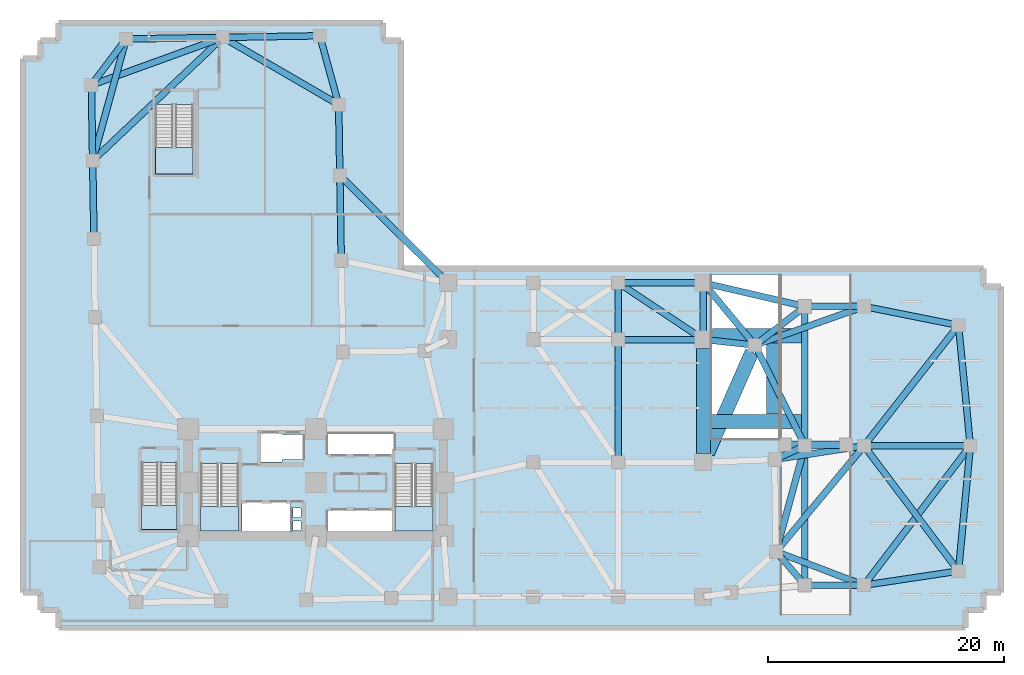
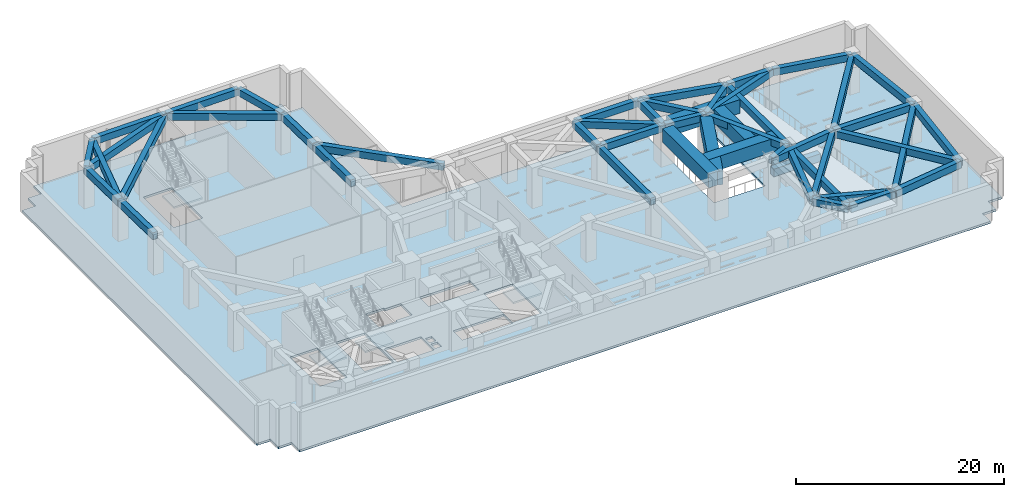
# One storey, part 2 of 11: 49 beams, 5 slabs, 4 elements without a shape of their own.
"""IFC4 building model written with IfcOpenShell, lengths in metres."""

from ifc_helpers import new_model, si_unit, direction, frame, origin, origin_2d, place, context, subcontext, project, spatial, polyline, rectangle, outline, extrude, material, layer, layer_set, material_profile, profile_set, type_object, element, aggregate, save


model = new_model("IFC4")

# Units and contexts
model_context = context("Model", 3, precision=1e-05, world=origin(), true_north=direction((0.0, 1.0)))
body_context = subcontext(model_context, "Body", "Model", "MODEL_VIEW")
ifc_project = project(units=[si_unit("LENGTHUNIT", "METRE"), si_unit("AREAUNIT", "SQUARE_METRE"), si_unit("VOLUMEUNIT", "CUBIC_METRE"), si_unit("PLANEANGLEUNIT", "RADIAN"), si_unit("MASSUNIT", "GRAM", prefix="KILO")], contexts=[model_context])

# Site, building, storey
site_placement = place(None, origin())
site = spatial("IfcSite", under=ifc_project, at=site_placement, CompositionType="ELEMENT")
building_placement = place(site_placement, origin())
building = spatial("IfcBuilding", under=site, at=building_placement, Name="Gaonmaruhae Medical Tower", CompositionType="ELEMENT")
storey_placement = place(building_placement, frame((0.0, 0.0, -4.800048828125)))
storey = spatial("IfcBuildingStorey", under=building, at=storey_placement, Name="B01", CompositionType="ELEMENT", Elevation=-4.800048828125)

# Beams
ifc_material_1 = material(Name="Concrete C50/60", Category="concrete")
ifc_material_profile_1 = material_profile(ifc_material_1, rectangle(XDim=0.64990234375, YDim=0.89990234375, at=origin_2d()), Name="RCG-650x900")
ifc_profile_set_1 = profile_set([ifc_material_profile_1], Name="Concrete C50/60")
beam_type_1 = type_object("IfcBeamType", Name="RG-01 Podium Primary RC Girder (RCG-650x900)", PredefinedType="BEAM", material=ifc_profile_set_1)
beam_1_placement = place(storey_placement, frame((64.5, 15.5, 1.822021484375), z_axis=(1.0, 0.0, 0.0), x_axis=(0.0, 1.0, 0.0)))
element("IfcBeam", 1, at=beam_1_placement, inside=storey, type_object=beam_type_1, Name="B01 Vehicle Ramp Mid-Span Support Girder", PredefinedType="BEAM", context=body_context, shape_type="SweptSolid", body=[
    extrude(rectangle(XDim=0.64990234375, YDim=0.89990234375, at=origin_2d()), origin(), (0.0, 0.0, 1.0), 5.199951171875),
])
ifc_material_profile_2 = material_profile(ifc_material_1, rectangle(XDim=0.550048828125, YDim=0.800048828125, at=origin_2d()), Name="RCG-550x800")
ifc_profile_set_2 = profile_set([ifc_material_profile_2], Name="Concrete C50/60")
beam_type_2 = type_object("IfcBeamType", Name="RG-02 Basement Loop RC Girder (RCG-550x800)", PredefinedType="BEAM", material=ifc_profile_set_2)
beam_2_placement = place(storey_placement, frame((50.39990234375, 14.050048828125, 4.150146484375), z_axis=(0.0, 1.0, 0.0), x_axis=(-1.0, 0.0, 0.0)))
element("IfcBeam", 2, at=beam_2_placement, inside=storey, type_object=beam_type_2, Name="B01 Beam BM-B01-PG013", PredefinedType="BEAM", context=body_context, shape_type="SweptSolid", body=[
    extrude(rectangle(XDim=0.550048828125, YDim=0.800048828125, at=origin_2d()), origin(), (0.0, 0.0, 1.0), 10.300048828125),
])
beam_3_placement = place(storey_placement, frame((57.649658203125, 24.39453125, 4.150146484375), z_axis=(0.994019545115, -0.109202307341, 0.0), x_axis=(0.109202307341, 0.994019545115, 0.0)))
element("IfcBeam", 3, at=beam_3_placement, inside=storey, type_object=beam_type_2, Name="B01 Beam BM-B01-PG017", PredefinedType="BEAM", context=body_context, shape_type="SweptSolid", body=[
    extrude(rectangle(XDim=0.550048828125, YDim=0.800048828125, at=origin_2d()), origin(), (0.0, 0.0, 1.0), 4.294677734375),
])
for number, where, z_axis, x_axis, name in (
    (4, (57.60009765625, 24.449951171875, 4.150146484375), (0.0, 1.0, 0.0), (-1.0, 0.0, 0.0), "B01 Beam BM-B01-PG018"),
    (5, (50.39990234375, 24.449951171875, 4.150146484375), (0.0, 1.0, 0.0), (-1.0, 0.0, 0.0), "B01 Beam BM-B01-PG021"),
):
    element("IfcBeam", number, at=place(storey_placement, frame(where, z_axis=z_axis, x_axis=x_axis)), inside=storey, type_object=beam_type_2, Name=name, PredefinedType="BEAM", context=body_context, shape_type="SweptSolid", body=[
        extrude(rectangle(XDim=0.550048828125, YDim=0.800048828125, at=origin_2d()), origin(), (0.0, 0.0, 1.0), 4.699951171875),
    ])
beam_4_placement = place(storey_placement, frame((50.449951171875, 24.39990234375, 4.150146484375), z_axis=(1.0, 0.0, 0.0), x_axis=(0.0, 1.0, 0.0)))
element("IfcBeam", 6, at=beam_4_placement, inside=storey, type_object=beam_type_2, Name="B01 Beam BM-B01-PG022", PredefinedType="BEAM", context=body_context, shape_type="SweptSolid", body=[
    extrude(rectangle(XDim=0.550048828125, YDim=0.800048828125, at=origin_2d()), origin(), (0.0, 0.0, 1.0), 7.10009765625),
])
beam_5_placement = place(storey_placement, frame((57.6318359375, 29.161376953125, 4.150146484375), z_axis=(0.63748483708, -0.770462901439, 0.0), x_axis=(0.770462901439, 0.63748483708, 0.0)))
element("IfcBeam", 7, at=beam_5_placement, inside=storey, type_object=beam_type_2, Name="B01 Beam BM-B01-PG025", PredefinedType="BEAM", context=body_context, shape_type="SweptSolid", body=[
    extrude(rectangle(XDim=0.550048828125, YDim=0.800048828125, at=origin_2d()), origin(), (0.0, 0.0, 1.0), 6.752685546875),
])
beam_6_placement = place(storey_placement, frame((57.550048828125, 29.199951171875, 4.150146484375), z_axis=(-1.0, 0.0, 0.0), x_axis=(0.0, -1.0, 0.0)))
element("IfcBeam", 8, at=beam_6_placement, inside=storey, type_object=beam_type_2, Name="B01 Beam BM-B01-PG026", PredefinedType="BEAM", context=body_context, shape_type="SweptSolid", body=[
    extrude(rectangle(XDim=0.550048828125, YDim=0.800048828125, at=origin_2d()), origin(), (0.0, 0.0, 1.0), 7.10009765625),
])
beam_7_placement = place(storey_placement, frame((50.441650390625, 29.17236328125, 4.150146484375), z_axis=(0.832041511634, -0.554713370055, 0.0), x_axis=(0.554713370055, 0.832041511634, 0.0)))
element("IfcBeam", 9, at=beam_7_placement, inside=storey, type_object=beam_type_2, Name="B01 Beam BM-B01-PG030", PredefinedType="BEAM", context=body_context, shape_type="SweptSolid", body=[
    extrude(rectangle(XDim=0.550048828125, YDim=0.800048828125, at=origin_2d()), origin(), (0.0, 0.0, 1.0), 8.55322265625),
])
beam_8_placement = place(storey_placement, frame((63.791015625, 6.409423828125, 4.150146484375), z_axis=(0.650934547186, -0.759133858604, 0.0), x_axis=(0.759133858604, 0.650934547186, 0.0)))
element("IfcBeam", 10, at=beam_8_placement, inside=storey, type_object=beam_type_2, Name="B01 Beam BM-B01-PG041", PredefinedType="BEAM", context=body_context, shape_type="SweptSolid", body=[
    extrude(rectangle(XDim=0.550048828125, YDim=0.800048828125, at=origin_2d()), origin(), (0.0, 0.0, 1.0), 3.65087890625),
])
beam_9_placement = place(storey_placement, frame((63.6748046875, 14.266845703125, 4.150146484375), z_axis=(0.912331175538, 0.409453081735, 0.0), x_axis=(-0.409453081735, 0.912331175538, 0.0)))
element("IfcBeam", 11, at=beam_9_placement, inside=storey, type_object=beam_type_2, Name="B01 Beam BM-B01-PG043", PredefinedType="BEAM", context=body_context, shape_type="SweptSolid", body=[
    extrude(rectangle(XDim=0.550048828125, YDim=0.800048828125, at=origin_2d()), origin(), (0.0, 0.0, 1.0), 2.7177734375),
])
beam_10_placement = place(storey_placement, frame((63.678466796875, 14.25390625, 4.150146484375), z_axis=(0.988587276062, 0.150649253596, 0.0), x_axis=(-0.150649253596, 0.988587276062, 0.0)))
element("IfcBeam", 12, at=beam_10_placement, inside=storey, type_object=beam_type_2, Name="B01 Beam BM-B01-PG044", PredefinedType="BEAM", context=body_context, shape_type="SweptSolid", body=[
    extrude(rectangle(XDim=0.550048828125, YDim=0.800048828125, at=origin_2d()), origin(), (0.0, 0.0, 1.0), 7.558349609375),
])
beam_11_placement = place(storey_placement, frame((62.008056640625, 23.950927734375, 4.150146484375), z_axis=(0.790374549581, 0.612623923279, 0.0), x_axis=(-0.612623923279, 0.790374549581, 0.0)))
element("IfcBeam", 13, at=beam_11_placement, inside=storey, type_object=beam_type_2, Name="B01 Beam BM-B01-PG045", PredefinedType="BEAM", context=body_context, shape_type="SweptSolid", body=[
    extrude(rectangle(XDim=0.550048828125, YDim=0.800048828125, at=origin_2d()), origin(), (0.0, 0.0, 1.0), 5.253662109375),
])
beam_12_placement = place(storey_placement, frame((61.99072265625, 23.87548828125, 4.150146484375), z_axis=(0.444805100876, -0.895627390288, 0.0), x_axis=(0.895627390288, 0.444805100876, 0.0)))
element("IfcBeam", 14, at=beam_12_placement, inside=storey, type_object=beam_type_2, Name="B01 Beam BM-B01-PG046", PredefinedType="BEAM", context=body_context, shape_type="SweptSolid", body=[
    extrude(rectangle(XDim=0.550048828125, YDim=0.800048828125, at=origin_2d()), origin(), (0.0, 0.0, 1.0), 9.4130859375),
])
beam_13_placement = place(storey_placement, frame((26.944091796875, 31.140380859375, 4.150146484375), z_axis=(-0.016608204893, 0.999862074253, 0.0), x_axis=(-0.999862074253, -0.016608204893, 0.0)))
element("IfcBeam", 15, at=beam_13_placement, inside=storey, type_object=beam_type_2, Name="B01 Beam BM-B01-PG051", PredefinedType="BEAM", context=body_context, shape_type="SweptSolid", body=[
    extrude(rectangle(XDim=0.550048828125, YDim=0.800048828125, at=origin_2d()), origin(), (0.0, 0.0, 1.0), 7.10009765625),
])
beam_14_placement = place(storey_placement, frame((26.824462890625, 38.339599609375, 4.150146484375), z_axis=(-0.016551967997, 0.999863006794, 0.0), x_axis=(-0.999863006794, -0.016551967997, 0.0)))
element("IfcBeam", 16, at=beam_14_placement, inside=storey, type_object=beam_type_2, Name="B01 Beam BM-B01-PG053", PredefinedType="BEAM", context=body_context, shape_type="SweptSolid", body=[
    extrude(rectangle(XDim=0.550048828125, YDim=0.800048828125, at=origin_2d()), origin(), (0.0, 0.0, 1.0), 5.89990234375),
])
beam_15_placement = place(storey_placement, frame((26.86083984375, 38.25439453125, 4.150146484375), z_axis=(0.710394933366, -0.703803267005, 0.0), x_axis=(0.703803267005, 0.710394933366, 0.0)))
element("IfcBeam", 17, at=beam_15_placement, inside=storey, type_object=beam_type_2, Name="B01 Beam BM-B01-PG054", PredefinedType="BEAM", context=body_context, shape_type="SweptSolid", body=[
    extrude(rectangle(XDim=0.550048828125, YDim=0.800048828125, at=origin_2d()), origin(), (0.0, 0.0, 1.0), 12.815185546875),
])
beam_16_placement = place(storey_placement, frame((26.712646484375, 44.3369140625, 4.150146484375), z_axis=(-0.264400662099, 0.964412924987, 0.0), x_axis=(-0.964412924987, -0.264400662099, 0.0)))
element("IfcBeam", 18, at=beam_16_placement, inside=storey, type_object=beam_type_2, Name="B01 Beam BM-B01-PG055", PredefinedType="BEAM", context=body_context, shape_type="SweptSolid", body=[
    extrude(rectangle(XDim=0.550048828125, YDim=0.800048828125, at=origin_2d()), origin(), (0.0, 0.0, 1.0), 5.939208984375),
])
beam_17_placement = place(storey_placement, frame((26.6826171875, 44.313720703125, 4.150146484375), z_axis=(-0.864761531189, 0.502182729865, 0.0), x_axis=(-0.502182729865, -0.864761531189, 0.0)))
element("IfcBeam", 19, at=beam_17_placement, inside=storey, type_object=beam_type_2, Name="B01 Beam BM-B01-PG056", PredefinedType="BEAM", context=body_context, shape_type="SweptSolid", body=[
    extrude(rectangle(XDim=0.550048828125, YDim=0.800048828125, at=origin_2d()), origin(), (0.0, 0.0, 1.0), 11.227294921875),
])
for number, where, z_axis, x_axis, name in (
    (20, (25.0791015625, 50.112060546875, 4.150146484375), (-0.999863083435, -0.016547337678, 0.0), (0.016547337678, -0.999863083435, 0.0), "B01 Beam BM-B01-PG057"),
    (21, (16.88037109375, 49.976318359375, 4.150146484375), (-0.999862584298, -0.016577470273, 0.0), (0.016577470273, -0.999862584298, 0.0), "B01 Beam BM-B01-PG058"),
):
    element("IfcBeam", number, at=place(storey_placement, frame(where, z_axis=z_axis, x_axis=x_axis)), inside=storey, type_object=beam_type_2, Name=name, PredefinedType="BEAM", context=body_context, shape_type="SweptSolid", body=[
        extrude(rectangle(XDim=0.550048828125, YDim=0.800048828125, at=origin_2d()), origin(), (0.0, 0.0, 1.0), 8.10009765625),
    ])
beam_18_placement = place(storey_placement, frame((16.88330078125, 49.9599609375, 4.150146484375), z_axis=(-0.940171612952, -0.340701244788, 0.0), x_axis=(0.340701244788, -0.940171612952, 0.0)))
element("IfcBeam", 22, at=beam_18_placement, inside=storey, type_object=beam_type_2, Name="B01 Beam BM-B01-PG059", PredefinedType="BEAM", context=body_context, shape_type="SweptSolid", body=[
    extrude(rectangle(XDim=0.550048828125, YDim=0.800048828125, at=origin_2d()), origin(), (0.0, 0.0, 1.0), 11.743408203125),
])
beam_19_placement = place(storey_placement, frame((8.701416015625, 49.80126953125, 4.150146484375), z_axis=(-0.601502313354, -0.798871057824, 0.0), x_axis=(0.798871057824, -0.601502313354, 0.0)))
element("IfcBeam", 23, at=beam_19_placement, inside=storey, type_object=beam_type_2, Name="B01 Beam BM-B01-PG060", PredefinedType="BEAM", context=body_context, shape_type="SweptSolid", body=[
    extrude(rectangle(XDim=0.550048828125, YDim=0.800048828125, at=origin_2d()), origin(), (0.0, 0.0, 1.0), 4.781005859375),
])
beam_20_placement = place(storey_placement, frame((8.71826171875, 49.79296875, 4.150146484375), z_axis=(-0.264954280581, -0.964260975671, 0.0), x_axis=(0.964260975671, -0.264954280581, 0.0)))
element("IfcBeam", 24, at=beam_20_placement, inside=storey, type_object=beam_type_2, Name="B01 Beam BM-B01-PG061", PredefinedType="BEAM", context=body_context, shape_type="SweptSolid", body=[
    extrude(rectangle(XDim=0.550048828125, YDim=0.800048828125, at=origin_2d()), origin(), (0.0, 0.0, 1.0), 10.580078125),
])
beam_21_placement = place(storey_placement, frame((5.79638671875, 45.891845703125, 4.150146484375), z_axis=(0.016586222393, -0.999862439152, 0.0), x_axis=(0.999862439152, 0.016586222393, 0.0)))
element("IfcBeam", 25, at=beam_21_placement, inside=storey, type_object=beam_type_2, Name="B01 Beam BM-B01-PG062", PredefinedType="BEAM", context=body_context, shape_type="SweptSolid", body=[
    extrude(rectangle(XDim=0.550048828125, YDim=0.800048828125, at=origin_2d()), origin(), (0.0, 0.0, 1.0), 6.300048828125),
])
beam_22_placement = place(storey_placement, frame((5.902587890625, 39.492919921875, 4.150146484375), z_axis=(0.016563596449, -0.999862814226, 0.0), x_axis=(0.999862814226, 0.016563596449, 0.0)))
element("IfcBeam", 26, at=beam_22_placement, inside=storey, type_object=beam_type_2, Name="B01 Beam BM-B01-PG063", PredefinedType="BEAM", context=body_context, shape_type="SweptSolid", body=[
    extrude(rectangle(XDim=0.550048828125, YDim=0.800048828125, at=origin_2d()), origin(), (0.0, 0.0, 1.0), 6.500244140625),
])
beam_23_placement = place(storey_placement, frame((5.938232421875, 39.5771484375, 4.150146484375), z_axis=(0.726406385449, 0.687265424111, 0.0), x_axis=(-0.687265424111, 0.726406385449, 0.0)))
element("IfcBeam", 27, at=beam_23_placement, inside=storey, type_object=beam_type_2, Name="B01 Beam BM-B01-PG064", PredefinedType="BEAM", context=body_context, shape_type="SweptSolid", body=[
    extrude(rectangle(XDim=0.550048828125, YDim=0.800048828125, at=origin_2d()), origin(), (0.0, 0.0, 1.0), 15.082275390625),
])
beam_24_placement = place(storey_placement, frame((66.25, 3.60009765625, 4.150146484375), z_axis=(1.0, 0.0, 0.0), x_axis=(0.0, 1.0, 0.0)))
element("IfcBeam", 28, at=beam_24_placement, inside=storey, type_object=beam_type_2, Name="B01 Beam BM-B01-PG074", PredefinedType="BEAM", context=body_context, shape_type="SweptSolid", body=[
    extrude(rectangle(XDim=0.550048828125, YDim=0.800048828125, at=origin_2d()), origin(), (0.0, 0.0, 1.0), 4.89990234375),
])
beam_25_placement = place(storey_placement, frame((66.199951171875, 3.64990234375, 4.150146484375), z_axis=(0.0, 1.0, 0.0), x_axis=(-1.0, 0.0, 0.0)))
element("IfcBeam", 29, at=beam_25_placement, inside=storey, type_object=beam_type_2, Name="B01 Beam BM-B01-PG075", PredefinedType="BEAM", context=body_context, shape_type="SweptSolid", body=[
    extrude(rectangle(XDim=0.550048828125, YDim=0.800048828125, at=origin_2d()), origin(), (0.0, 0.0, 1.0), 11.7001953125),
])
beam_26_placement = place(storey_placement, frame((71.1533203125, 3.617919921875, 4.150146484375), z_axis=(-0.933959250305, 0.357379516438, 0.0), x_axis=(-0.357379516438, -0.933959250305, 0.0)))
element("IfcBeam", 30, at=beam_26_placement, inside=storey, type_object=beam_type_2, Name="B01 Beam BM-B01-PG076", PredefinedType="BEAM", context=body_context, shape_type="SweptSolid", body=[
    extrude(rectangle(XDim=0.550048828125, YDim=0.800048828125, at=origin_2d()), origin(), (0.0, 0.0, 1.0), 7.86767578125),
])
beam_27_placement = place(storey_placement, frame((71.24951171875, 3.607421875, 4.150146484375), z_axis=(0.988938370032, 0.148327004546, 0.0), x_axis=(-0.148327004546, 0.988938370032, 0.0)))
element("IfcBeam", 31, at=beam_27_placement, inside=storey, type_object=beam_type_2, Name="B01 Beam BM-B01-PG077", PredefinedType="BEAM", context=body_context, shape_type="SweptSolid", body=[
    extrude(rectangle(XDim=0.550048828125, YDim=0.800048828125, at=origin_2d()), origin(), (0.0, 0.0, 1.0), 7.989501953125),
])
beam_28_placement = place(storey_placement, frame((66.186767578125, 15.351806640625, 4.150146484375), z_axis=(-0.263119656269, -0.964763207469, 0.0), x_axis=(0.964763207469, -0.263119656269, 0.0)))
element("IfcBeam", 32, at=beam_28_placement, inside=storey, type_object=beam_type_2, Name="B01 Beam BM-B01-PG078", PredefinedType="BEAM", context=body_context, shape_type="SweptSolid", body=[
    extrude(rectangle(XDim=0.550048828125, YDim=0.800048828125, at=origin_2d()), origin(), (0.0, 0.0, 1.0), 9.179443359375),
])
beam_29_placement = place(storey_placement, frame((66.199951171875, 15.449951171875, 4.150146484375), z_axis=(0.0, 1.0, 0.0), x_axis=(-1.0, 0.0, 0.0)))
element("IfcBeam", 33, at=beam_29_placement, inside=storey, type_object=beam_type_2, Name="B01 Beam BM-B01-PG079", PredefinedType="BEAM", context=body_context, shape_type="SweptSolid", body=[
    extrude(rectangle(XDim=0.550048828125, YDim=0.800048828125, at=origin_2d()), origin(), (0.0, 0.0, 1.0), 11.699951171875),
])
beam_30_placement = place(storey_placement, frame((71.25, 15.39990234375, 4.150146484375), z_axis=(1.0, 0.0, 0.0), x_axis=(0.0, 1.0, 0.0)))
element("IfcBeam", 34, at=beam_30_placement, inside=storey, type_object=beam_type_2, Name="B01 Beam BM-B01-PG080", PredefinedType="BEAM", context=body_context, shape_type="SweptSolid", body=[
    extrude(rectangle(XDim=0.550048828125, YDim=0.800048828125, at=origin_2d()), origin(), (0.0, 0.0, 1.0), 8.89990234375),
])
beam_31_placement = place(storey_placement, frame((71.16796875, 15.361572265625, 4.150146484375), z_axis=(-0.639224730156, -0.76901998957, 0.0), x_axis=(0.76901998957, -0.639224730156, 0.0)))
element("IfcBeam", 35, at=beam_31_placement, inside=storey, type_object=beam_type_2, Name="B01 Beam BM-B01-PG081", PredefinedType="BEAM", context=body_context, shape_type="SweptSolid", body=[
    extrude(rectangle(XDim=0.550048828125, YDim=0.800048828125, at=origin_2d()), origin(), (0.0, 0.0, 1.0), 11.54150390625),
])
beam_32_placement = place(storey_placement, frame((66.25, 27.199951171875, 4.150146484375), z_axis=(1.0, 0.0, 0.0), x_axis=(0.0, 1.0, 0.0)))
element("IfcBeam", 36, at=beam_32_placement, inside=storey, type_object=beam_type_2, Name="B01 Beam BM-B01-PG082", PredefinedType="BEAM", context=body_context, shape_type="SweptSolid", body=[
    extrude(rectangle(XDim=0.550048828125, YDim=0.800048828125, at=origin_2d()), origin(), (0.0, 0.0, 1.0), 4.89990234375),
])
beam_33_placement = place(storey_placement, frame((66.1513671875, 27.21142578125, 4.150146484375), z_axis=(-0.974009892436, 0.226505473306, 0.0), x_axis=(-0.226505473306, -0.974009892436, 0.0)))
element("IfcBeam", 37, at=beam_33_placement, inside=storey, type_object=beam_type_2, Name="B01 Beam BM-B01-PG083", PredefinedType="BEAM", context=body_context, shape_type="SweptSolid", body=[
    extrude(rectangle(XDim=0.550048828125, YDim=0.800048828125, at=origin_2d()), origin(), (0.0, 0.0, 1.0), 8.7294921875),
])
beam_34_placement = place(storey_placement, frame((71.2490234375, 27.190185546875, 4.150146484375), z_axis=(0.98058184093, -0.196110308853, 0.0), x_axis=(0.196110308853, 0.98058184093, 0.0)))
element("IfcBeam", 38, at=beam_34_placement, inside=storey, type_object=beam_type_2, Name="B01 Beam BM-B01-PG084", PredefinedType="BEAM", context=body_context, shape_type="SweptSolid", body=[
    extrude(rectangle(XDim=0.550048828125, YDim=0.800048828125, at=origin_2d()), origin(), (0.0, 0.0, 1.0), 8.058349609375),
])
beam_35_placement = place(storey_placement, frame((71.15283203125, 27.183349609375, 4.150146484375), z_axis=(-0.942294313395, -0.334785643275, 0.0), x_axis=(0.334785643275, -0.942294313395, 0.0)))
element("IfcBeam", 39, at=beam_35_placement, inside=storey, type_object=beam_type_2, Name="B01 Beam BM-B01-PG085", PredefinedType="BEAM", context=body_context, shape_type="SweptSolid", body=[
    extrude(rectangle(XDim=0.550048828125, YDim=0.800048828125, at=origin_2d()), origin(), (0.0, 0.0, 1.0), 9.69677734375),
])
beam_36_placement = place(storey_placement, frame((79.20458984375, 4.849853515625, 4.150146484375), z_axis=(0.093932984059, 0.995578522521, 0.0), x_axis=(-0.995578522521, 0.093932984059, 0.0)))
element("IfcBeam", 40, at=beam_36_placement, inside=storey, type_object=beam_type_2, Name="B01 Beam BM-B01-PG086", PredefinedType="BEAM", context=body_context, shape_type="SweptSolid", body=[
    extrude(rectangle(XDim=0.550048828125, YDim=0.800048828125, at=origin_2d()), origin(), (0.0, 0.0, 1.0), 10.547119140625),
])
beam_37_placement = place(storey_placement, frame((79.169921875, 4.83984375, 4.150146484375), z_axis=(-0.602400893863, 0.798193687693, 0.0), x_axis=(-0.798193687693, -0.602400893863, 0.0)))
element("IfcBeam", 41, at=beam_37_placement, inside=storey, type_object=beam_type_2, Name="B01 Beam BM-B01-PG087", PredefinedType="BEAM", context=body_context, shape_type="SweptSolid", body=[
    extrude(rectangle(XDim=0.550048828125, YDim=0.800048828125, at=origin_2d()), origin(), (0.0, 0.0, 1.0), 13.18017578125),
])
beam_38_placement = place(storey_placement, frame((80.195068359375, 15.44970703125, 4.150146484375), z_axis=(-0.097569555279, 0.995228708329, 0.0), x_axis=(-0.995228708329, -0.097569555279, 0.0)))
element("IfcBeam", 42, at=beam_38_placement, inside=storey, type_object=beam_type_2, Name="B01 Beam BM-B01-PG088", PredefinedType="BEAM", context=body_context, shape_type="SweptSolid", body=[
    extrude(rectangle(XDim=0.550048828125, YDim=0.800048828125, at=origin_2d()), origin(), (0.0, 0.0, 1.0), 10.14892578125),
])
beam_39_placement = place(storey_placement, frame((80.169677734375, 15.3603515625, 4.150146484375), z_axis=(-0.606446336319, -0.79512441867, 0.0), x_axis=(0.79512441867, -0.606446336319, 0.0)))
element("IfcBeam", 43, at=beam_39_placement, inside=storey, type_object=beam_type_2, Name="B01 Beam BM-B01-PG089", PredefinedType="BEAM", context=body_context, shape_type="SweptSolid", body=[
    extrude(rectangle(XDim=0.550048828125, YDim=0.800048828125, at=origin_2d()), origin(), (0.0, 0.0, 1.0), 14.74072265625),
])
beam_40_placement = place(storey_placement, frame((79.169189453125, 25.560546875, 4.150146484375), z_axis=(-0.617145695681, -0.786848899282, 0.0), x_axis=(0.786848899282, -0.617145695681, 0.0)))
element("IfcBeam", 44, at=beam_40_placement, inside=storey, type_object=beam_type_2, Name="B01 Beam BM-B01-PG090", PredefinedType="BEAM", context=body_context, shape_type="SweptSolid", body=[
    extrude(rectangle(XDim=0.550048828125, YDim=0.800048828125, at=origin_2d()), origin(), (0.0, 0.0, 1.0), 12.86279296875),
])
ifc_material_profile_3 = material_profile(ifc_material_1, rectangle(XDim=1.199951171875, YDim=1.60009765625, at=origin_2d()), Name="TG-1200x1600")
ifc_profile_set_3 = profile_set([ifc_material_profile_3], Name="Concrete C50/60")
beam_type_3 = type_object("IfcBeamType", Name="TG-02 Setback Transfer Girder (TG-1200x1600)", PredefinedType="BEAM", material=ifc_profile_set_3)
beam_41_placement = place(storey_placement, frame((57.60009765625, 14.760009765625, 3.75), z_axis=(0.0, 1.0, 0.0), x_axis=(-1.0, 0.0, 0.0)))
element("IfcBeam", 45, at=beam_41_placement, inside=storey, type_object=beam_type_3, Name="B01 Stair ST-04 Support Transfer Girder BM-B01-ST4W", PredefinedType="BEAM", context=body_context, shape_type="SweptSolid", body=[
    extrude(rectangle(XDim=1.199951171875, YDim=1.60009765625, at=origin_2d()), origin(), (0.0, 0.0, 1.0), 8.8798828125),
])
beam_42_placement = place(storey_placement, frame((58.199951171875, 17.469970703125, 3.75), z_axis=(1.0, 0.0, 0.0), x_axis=(0.0, 1.0, 0.0)))
element("IfcBeam", 46, at=beam_42_placement, inside=storey, type_object=beam_type_3, Name="B01 Stair ST-04 Support Transfer Girder BM-B01-ST4S", PredefinedType="BEAM", context=body_context, shape_type="SweptSolid", body=[
    extrude(rectangle(XDim=1.199951171875, YDim=1.60009765625, at=origin_2d()), origin(), (0.0, 0.0, 1.0), 7.719970703125),
])
beam_43_placement = place(storey_placement, frame((58.360107421875, 24.719970703125, 3.75), z_axis=(1.0, 0.0, 0.0), x_axis=(0.0, 1.0, 0.0)))
element("IfcBeam", 47, at=beam_43_placement, inside=storey, type_object=beam_type_3, Name="B01 Stair ST-04 Support Transfer Girder BM-B01-ST4N", PredefinedType="BEAM", context=body_context, shape_type="SweptSolid", body=[
    extrude(rectangle(XDim=1.199951171875, YDim=1.60009765625, at=origin_2d()), origin(), (0.0, 0.0, 1.0), 7.559814453125),
])
beam_44_placement = place(storey_placement, frame((57.949951171875, 14.780029296875, 3.75), z_axis=(0.402272376165, 0.915520035485, 0.0), x_axis=(-0.915520035485, 0.402272376165, 0.0)))
element("IfcBeam", 48, at=beam_44_placement, inside=storey, type_object=beam_type_3, Name="B01 Stair ST-04 Support Transfer Girder BM-B01-ST4IW", PredefinedType="BEAM", context=body_context, shape_type="SweptSolid", body=[
    extrude(rectangle(XDim=1.199951171875, YDim=1.60009765625, at=origin_2d()), origin(), (0.0, 0.0, 1.0), 9.371826171875),
])
beam_45_placement = place(storey_placement, frame((63.530029296875, 18.080078125, 3.75), z_axis=(0.0, 1.0, 0.0), x_axis=(-1.0, 0.0, 0.0)))
element("IfcBeam", 49, at=beam_45_placement, inside=storey, type_object=beam_type_3, Name="B01 Stair ST-04 Support Transfer Girder BM-B01-ST4IE", PredefinedType="BEAM", context=body_context, shape_type="SweptSolid", body=[
    extrude(rectangle(XDim=1.199951171875, YDim=1.60009765625, at=origin_2d()), origin(), (0.0, 0.0, 1.0), 6.030029296875),
])

# Slab
ifc_material_2 = material(Name="Concrete C40/50", Category="concrete")
ifc_layer_1 = layer(ifc_material_2, 0.25)
ifc_layer_set_1 = layer_set([ifc_layer_1], Name="Concrete C40/50")
slab_type_1 = type_object("IfcSlabType", Name="FS-250 Podium & Basement Floor Slab", PredefinedType="FLOOR", material=ifc_layer_set_1)
slab_1_placement = place(storey_placement, frame((0.0, 0.0, -0.25)))
element("IfcSlab", 50, at=slab_1_placement, inside=storey, type_object=slab_type_1, Name="B01 Structural Slab 1", PredefinedType="FLOOR", context=body_context, shape_type="SweptSolid", body=[
    extrude(outline(polyline([(3.0, 0.0), (79.800048828125, 0.0), (79.800048828125, 1.5), (81.300048828125, 1.5), (81.300048828125, 3.0), (82.800048828125, 3.0), (82.800048828125, 28.89990234375), (81.300048828125, 28.89990234375), (81.300048828125, 30.39990234375), (32.0, 30.39990234375), (32.0, 49.699951171875), (30.5, 49.699951171875), (30.5, 51.199951171875), (3.0, 51.199951171875), (3.0, 49.699951171875), (1.5, 49.699951171875), (1.5, 48.199951171875), (0.0, 48.199951171875), (0.0, 3.0), (1.5, 3.0), (1.5, 1.5), (3.0, 1.5), (3.0, 0.0)]), holes=[polyline([(23.550048828125, 8.25), (22.85009765625, 8.25), (22.85009765625, 9.050048828125), (23.550048828125, 9.050048828125), (23.550048828125, 8.25)]), polyline([(22.64990234375, 10.625), (22.64990234375, 8.074951171875), (18.550048828125, 8.074951171875), (18.550048828125, 10.625), (22.64990234375, 10.625)]), polyline([(15.050048828125, 13.889892578125), (18.25, 13.889892578125), (18.25, 8.300048828125), (15.050048828125, 8.300048828125), (15.050048828125, 13.889892578125)]), polyline([(13.050048828125, 13.989990234375), (13.050048828125, 8.300048828125), (10.050048828125, 8.300048828125), (10.050048828125, 13.989990234375), (13.050048828125, 13.989990234375)]), polyline([(21.949951171875, 14.02490234375), (19.949951171875, 14.02490234375), (19.949951171875, 16.574951171875), (21.949951171875, 16.574951171875), (21.949951171875, 16.375), (23.72509765625, 16.375), (23.72509765625, 14.22509765625), (21.949951171875, 14.22509765625), (21.949951171875, 14.02490234375)]), polyline([(11.199951171875, 44.2900390625), (14.39990234375, 44.2900390625), (14.39990234375, 38.39990234375), (11.199951171875, 38.39990234375), (11.199951171875, 44.2900390625)]), polyline([(31.425048828125, 9.925048828125), (31.425048828125, 8.175048828125), (25.824951171875, 8.175048828125), (25.824951171875, 9.925048828125), (31.425048828125, 9.925048828125)]), polyline([(22.85009765625, 9.35009765625), (22.85009765625, 10.14990234375), (23.550048828125, 10.14990234375), (23.550048828125, 9.35009765625), (22.85009765625, 9.35009765625)]), polyline([(31.5, 13.889892578125), (34.699951171875, 13.889892578125), (34.699951171875, 8.300048828125), (31.5, 8.300048828125), (31.5, 13.889892578125)]), polyline([(31.425048828125, 16.425048828125), (31.425048828125, 14.675048828125), (25.824951171875, 14.675048828125), (25.824951171875, 16.425048828125), (31.425048828125, 16.425048828125)]), polyline([(58.300048828125, 16.0), (58.300048828125, 29.889892578125), (64.0, 29.889892578125), (64.0, 16.0), (58.300048828125, 16.0)])]), origin(), (0.0, 0.0, 1.0), 0.25),
])

# Stair, slab
stair_type_1 = type_object("IfcStairType", Name="ST-T1 Primary Core Escape Dogleg Stair", PredefinedType="TWO_QUARTER_TURN_STAIR", material=ifc_material_2)
stair_1_placement = place(storey_placement, origin())
stair_1 = element("IfcStair", 51, at=stair_1_placement, inside=storey, type_object=stair_type_1, Name="B01 Protected Escape Stair ST-01", PredefinedType="TWO_QUARTER_TURN_STAIR")
ifc_layer_2 = layer(ifc_material_2, 0.199951171875)
ifc_layer_set_2 = layer_set([ifc_layer_2], Name="Concrete C40/50")
slab_type_2 = type_object("IfcSlabType", Name="SL-200 Stair & Ramp Intermediate Concrete Landing", PredefinedType="LANDING", material=ifc_layer_set_2)
slab_2_placement = place(storey_placement, frame((0.0, 0.0, 2.199951171875)))
slab_2 = element("IfcSlab", 52, at=slab_2_placement, type_object=slab_type_2, Name="ST-01 landing 1", PredefinedType="LANDING", context=body_context, shape_type="SweptSolid", body=[
    extrude(outline(polyline([(15.050048828125, 10.260009765625), (15.050048828125, 8.2041015625), (18.25, 8.2041015625), (18.25, 10.260009765625), (15.050048828125, 10.260009765625)])), origin(), (0.0, 0.0, 1.0), 0.2001953125),
])
aggregate(stair_1, [slab_2])

stair_2_placement = place(storey_placement, origin())
stair_2 = element("IfcStair", 53, at=stair_2_placement, inside=storey, type_object=stair_type_1, Name="B01 Protected Escape Stair ST-02", PredefinedType="TWO_QUARTER_TURN_STAIR")
slab_3_placement = place(storey_placement, frame((0.0, 0.0, 2.199951171875)))
slab_3 = element("IfcSlab", 54, at=slab_3_placement, type_object=slab_type_2, Name="ST-02 landing 1", PredefinedType="LANDING", context=body_context, shape_type="SweptSolid", body=[
    extrude(outline(polyline([(31.5, 10.260009765625), (31.5, 8.2041015625), (34.699951171875, 8.2041015625), (34.699951171875, 10.260009765625), (31.5, 10.260009765625)])), origin(), (0.0, 0.0, 1.0), 0.2001953125),
])
aggregate(stair_2, [slab_3])

stair_type_2 = type_object("IfcStairType", Name="ST-T2 Zone 1 Escape Dogleg Stair", PredefinedType="TWO_QUARTER_TURN_STAIR", material=ifc_material_2)
stair_3_placement = place(storey_placement, origin())
stair_3 = element("IfcStair", 55, at=stair_3_placement, inside=storey, type_object=stair_type_2, Name="B01 Protected Escape Stair ST-03", PredefinedType="TWO_QUARTER_TURN_STAIR")
slab_4_placement = place(storey_placement, frame((0.0, 0.0, 2.199951171875)))
slab_4 = element("IfcSlab", 56, at=slab_4_placement, type_object=slab_type_2, Name="ST-03 landing 1", PredefinedType="LANDING", context=body_context, shape_type="SweptSolid", body=[
    extrude(outline(polyline([(10.050048828125, 10.360107421875), (10.050048828125, 8.300048828125), (13.050048828125, 8.300048828125), (13.050048828125, 10.360107421875), (10.050048828125, 10.360107421875)])), origin(), (0.0, 0.0, 1.0), 0.2001953125),
])
aggregate(stair_3, [slab_4])

stair_type_3 = type_object("IfcStairType", Name="ST-T3 Podium Escape Dogleg Stair", PredefinedType="TWO_QUARTER_TURN_STAIR", material=ifc_material_2)
stair_4_placement = place(storey_placement, origin())
stair_4 = element("IfcStair", 57, at=stair_4_placement, inside=storey, type_object=stair_type_3, Name="B01 Protected Escape Stair ST-05", PredefinedType="TWO_QUARTER_TURN_STAIR")
slab_5_placement = place(storey_placement, frame((0.0, 0.0, 2.199951171875)))
slab_5 = element("IfcSlab", 58, at=slab_5_placement, type_object=slab_type_2, Name="ST-05 landing 1", PredefinedType="LANDING", context=body_context, shape_type="SweptSolid", body=[
    extrude(outline(polyline([(11.199951171875, 40.659912109375), (11.199951171875, 38.39990234375), (14.39990234375, 38.39990234375), (14.39990234375, 40.659912109375), (11.199951171875, 40.659912109375)])), origin(), (0.0, 0.0, 1.0), 0.2001953125),
])
aggregate(stair_4, [slab_5])

save(model, "model.ifc")
